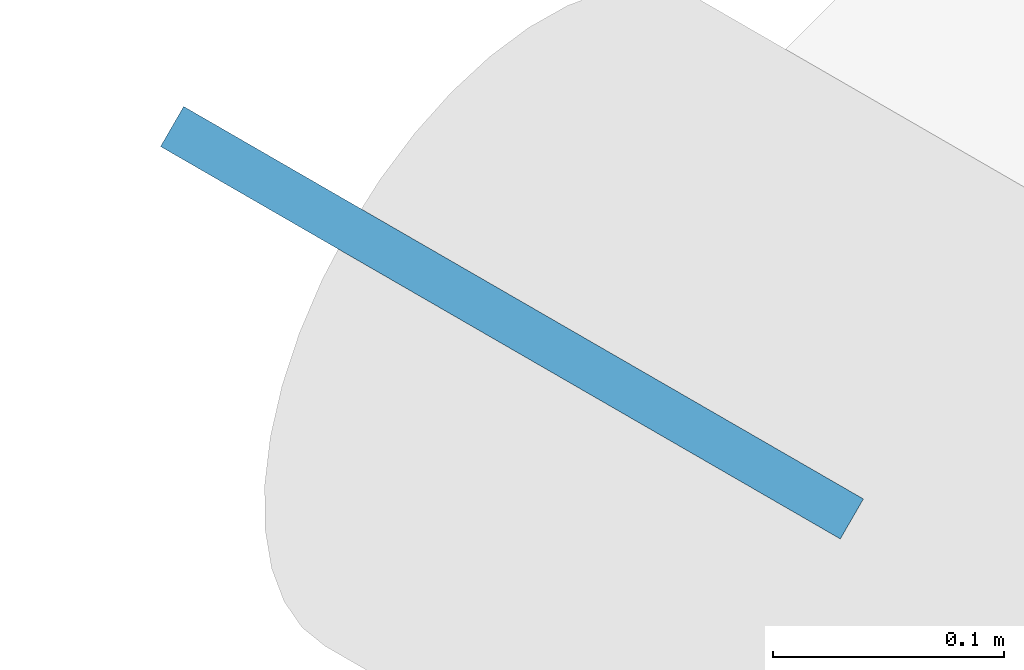
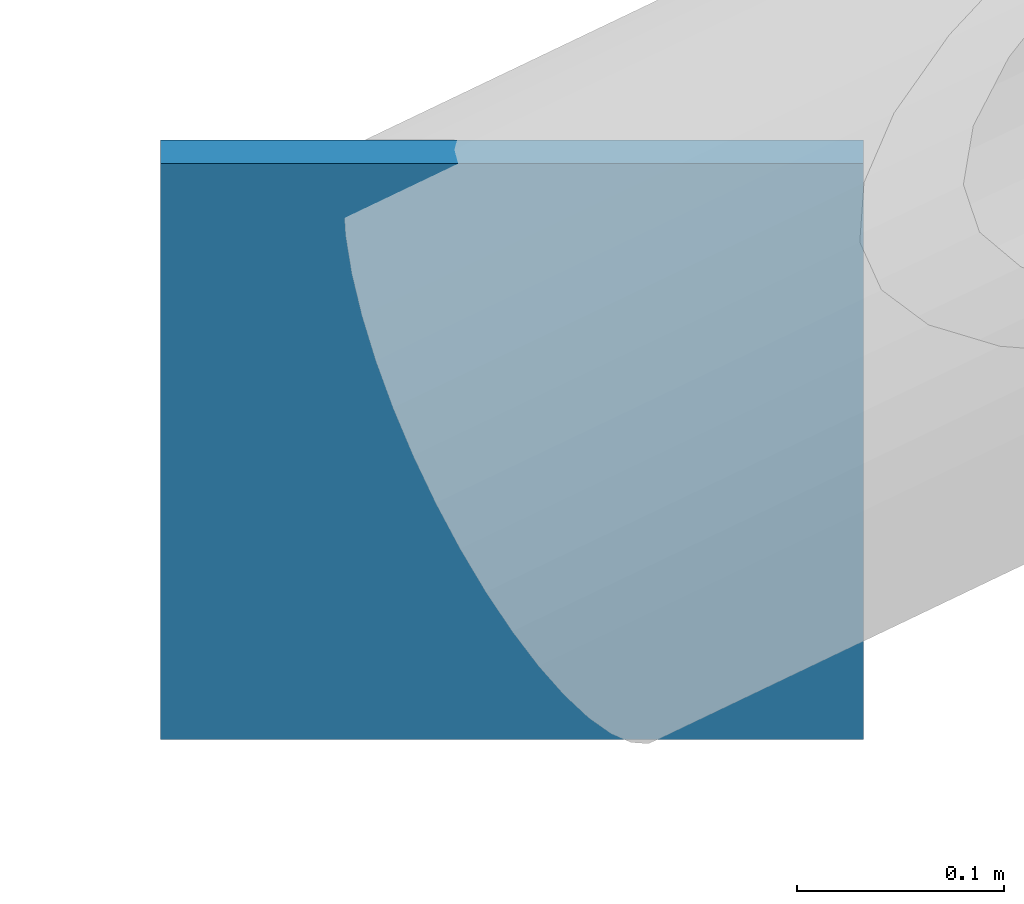
# One storey, part 38 of 58: 1 plate.
"""IFC4 building model written with IfcOpenShell, lengths in metres."""

from ifc_helpers import new_model, si_unit, derived_unit, direction, frame, origin, origin_2d, place, context, subcontext, project, spatial, rectangle, extrude, material, layer, layer_set, type_object, element, save


model = new_model("IFC4")

# Units and contexts
model_context = context("Model", 3, precision=1e-05, world=origin(), true_north=direction((0.0, 1.0)))
body_context = subcontext(model_context, "Body", "Model", "MODEL_VIEW")
ifc_project = project(units=[si_unit("LENGTHUNIT", "METRE"), si_unit("AREAUNIT", "SQUARE_METRE"), si_unit("VOLUMEUNIT", "CUBIC_METRE"), si_unit("PLANEANGLEUNIT", "RADIAN"), si_unit("MASSUNIT", "GRAM", prefix="KILO"), derived_unit("THERMALTRANSMITTANCEUNIT", [(si_unit("POWERUNIT", "WATT"), 1), (si_unit("AREAUNIT", "SQUARE_METRE"), -1), (si_unit("THERMODYNAMICTEMPERATUREUNIT", "KELVIN"), -1)])], contexts=[model_context])

# Site, building, storey
site_placement = place(None, origin())
site = spatial("IfcSite", under=ifc_project, at=site_placement, CompositionType="ELEMENT")
building_placement = place(site_placement, origin())
building = spatial("IfcBuilding", under=site, at=building_placement, Name="Yasenodar Specialist Clinic", CompositionType="ELEMENT")
storey_placement = place(building_placement, frame((0.0, 0.0, 21.300048828125)))
storey = spatial("IfcBuildingStorey", under=building, at=storey_placement, Name="L05", CompositionType="ELEMENT", Elevation=21.300048828125)

# Plate
ifc_material = material(Name="Steel S355", Category="steel")
ifc_layer = layer(ifc_material, 0.02001953125)
ifc_layer_set = layer_set([ifc_layer], Name="Steel S355")
plate_type = type_object("IfcPlateType", Name="PL-STEEL-03", PredefinedType="SHEET", material=ifc_layer_set)
plate_placement = place(storey_placement, frame((59.17626953125, 71.39990234375, -0.8701171875), z_axis=(0.0, 0.0, 1.0), x_axis=(-0.866025403784, 0.5, 0.0)))
element("IfcPlate", 1, at=plate_placement, inside=storey, type_object=plate_type, Name="L05 Hollow Section End-Cap Plate 0068", PredefinedType="SHEET", context=body_context, shape_type="SweptSolid", body=[
    extrude(rectangle(XDim=0.340087890625, YDim=0.02001953125, at=origin_2d()), origin(), (0.0, 0.0, 1.0), 0.340087890625),
])

save(model, "model.ifc")
